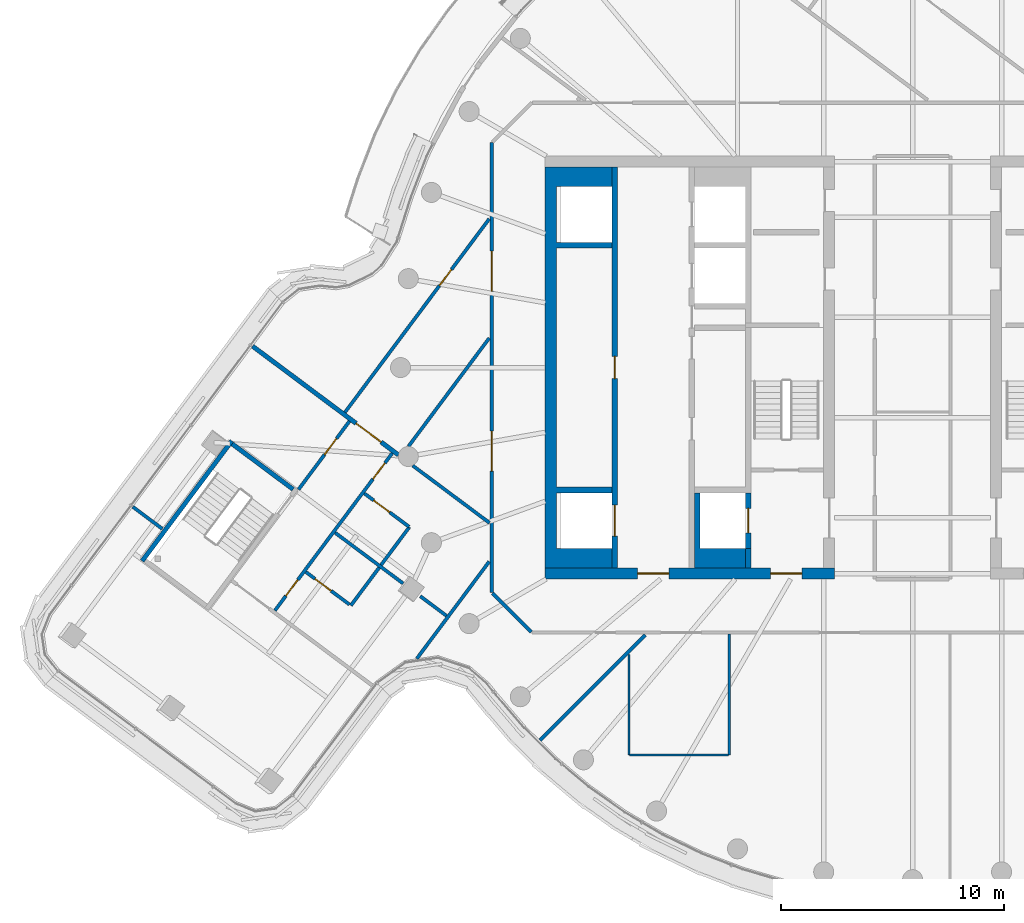
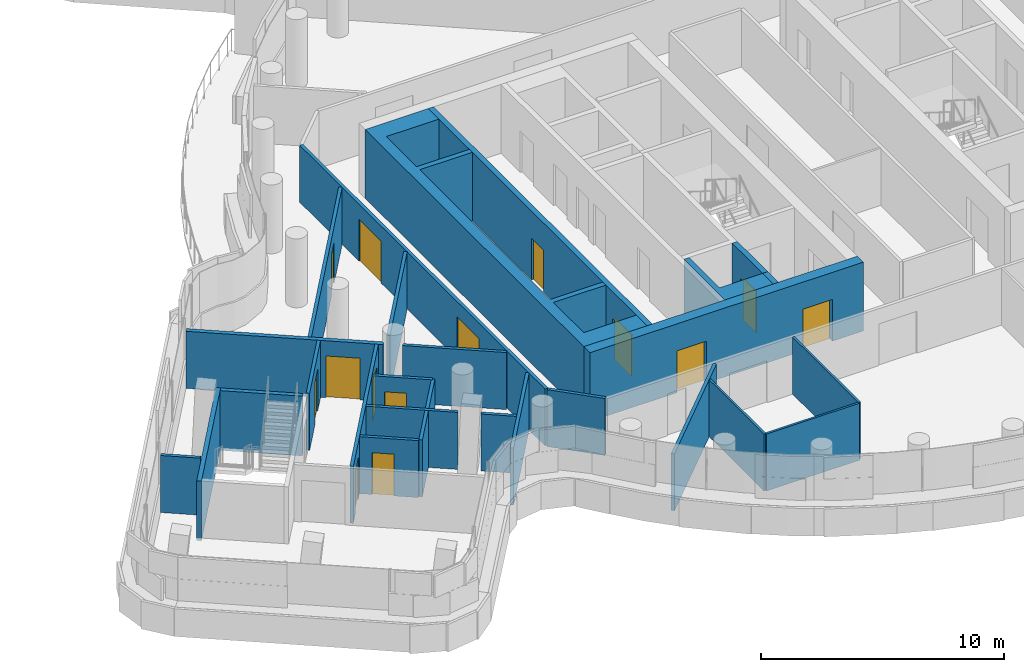
# One storey, part 17 of 27: 27 walls, 14 doors, 14 openings.
"""IFC4 building model written with IfcOpenShell, lengths in metres."""

from ifc_helpers import new_model, si_unit, direction, frame, frame_2d, origin, place, context, subcontext, project, spatial, polyline, rectangle, outline, extrude, material, layer, layer_set, type_object, element, fill, save


model = new_model("IFC4")

# Units and contexts
model_context = context("Model", 3, precision=1e-05, world=origin(), true_north=direction((0.0, 1.0)))
body_context = subcontext(model_context, "Body", "Model", "MODEL_VIEW")
ifc_project = project(units=[si_unit("LENGTHUNIT", "METRE"), si_unit("AREAUNIT", "SQUARE_METRE"), si_unit("VOLUMEUNIT", "CUBIC_METRE"), si_unit("PLANEANGLEUNIT", "RADIAN"), si_unit("MASSUNIT", "GRAM", prefix="KILO")], contexts=[model_context])

# Site, building, storey
site_placement = place(None, origin())
site = spatial("IfcSite", under=ifc_project, at=site_placement, CompositionType="ELEMENT")
building_placement = place(site_placement, origin())
building = spatial("IfcBuilding", under=site, at=building_placement, Name="Tamarind Cross Interchange Tower", CompositionType="ELEMENT")
storey_placement = place(building_placement, frame((0.0, 0.0, 227.10009765625)))
storey = spatial("IfcBuildingStorey", under=building, at=storey_placement, Name="L57", CompositionType="ELEMENT", Elevation=227.10009765625)

# Wall, openings, doors
ifc_material_1 = material(Name="Concrete C50", Category="concrete")
ifc_layer_1 = layer(ifc_material_1, 0.5)
ifc_layer_set_1 = layer_set([ifc_layer_1], Name="Concrete C50")
wall_type_1 = type_object("IfcWallType", Name="Core wall 500 mm Concrete C50", PredefinedType="SHEAR", material=ifc_layer_set_1)
wall_1_placement = place(storey_placement, frame((-16.5, -9.25, 0.0), z_axis=(0.0, 0.0, 1.0), x_axis=(1.0, 0.0, 0.0)))
wall_1 = element("IfcWall", 1, at=wall_1_placement, inside=storey, type_object=wall_type_1, Name="Core wall CWL-L57-W-S", PredefinedType="SHEAR", context=body_context, shape_type="SweptSolid", body=[
    extrude(rectangle(XDim=13.0, YDim=0.5, at=frame_2d((6.5, 0.0))), origin(), (0.0, 0.0, 1.0), 3.4599609375),
])
opening_1_placement = place(wall_1_placement, frame((4.14990234375, 0.0, 0.0)))
opening_1 = element("IfcOpeningElement", 2, at=opening_1_placement, cuts=wall_1, Name="Opening DCW1", PredefinedType="OPENING", context=body_context, shape_type="SweptSolid", body=[
    extrude(rectangle(XDim=1.39990234375, YDim=2.10009765625, at=frame_2d((0.699951171875, 1.050048828125))), frame((0.0, 0.260009765625, 0.0), z_axis=(0.0, -1.0, 0.0), x_axis=(1.0, 0.0, 0.0)), (0.0, 0.0, 1.0), 0.52001953125),
])
opening_2_placement = place(wall_1_placement, frame((10.125, 0.0, 0.0)))
opening_2 = element("IfcOpeningElement", 3, at=opening_2_placement, cuts=wall_1, Name="Opening DCWF", PredefinedType="OPENING", context=body_context, shape_type="SweptSolid", body=[
    extrude(rectangle(XDim=1.39990234375, YDim=2.10009765625, at=frame_2d((0.699951171875, 1.050048828125))), frame((0.0, 0.260009765625, 0.0), z_axis=(0.0, -1.0, 0.0), x_axis=(1.0, 0.0, 0.0)), (0.0, 0.0, 1.0), 0.52001953125),
])
ifc_material_2 = material(Name="Steel, fire-resisting", Category="steel")
door_type_1 = type_object("IfcDoorType", Name="Core fire door 1400 x 2100 FD90", OperationType="SINGLE_SWING_LEFT", PredefinedType="DOOR", material=ifc_material_2)
door_1_placement = place(opening_1_placement, origin())
door_1 = element("IfcDoor", 4, at=door_1_placement, inside=storey, type_object=door_type_1, Name="L57 lift lobby door", OperationType="SINGLE_SWING_LEFT", OverallHeight=2.10009765625, OverallWidth=1.39990234375, PredefinedType="DOOR", context=body_context, shape_type="SweptSolid", body=[
    extrude(rectangle(XDim=1.39990234375, YDim=2.10009765625, at=frame_2d((0.699951171875, 1.050048828125))), frame((0.0, 0.02490234375, 0.0), z_axis=(0.0, -1.0, 0.0), x_axis=(1.0, 0.0, 0.0)), (0.0, 0.0, 1.0), 0.050048828125),
])
fill(opening_1, door_1)
door_2_placement = place(opening_2_placement, origin())
door_2 = element("IfcDoor", 5, at=door_2_placement, inside=storey, type_object=door_type_1, Name="L57 firefighting lobby end door", OperationType="SINGLE_SWING_LEFT", OverallHeight=2.10009765625, OverallWidth=1.39990234375, PredefinedType="DOOR", context=body_context, shape_type="SweptSolid", body=[
    extrude(rectangle(XDim=1.39990234375, YDim=2.10009765625, at=frame_2d((0.699951171875, 1.050048828125))), frame((0.0, 0.02490234375, 0.0), z_axis=(0.0, -1.0, 0.0), x_axis=(1.0, 0.0, 0.0)), (0.0, 0.0, 1.0), 0.050048828125),
])
fill(opening_2, door_2)

# Walls
wall_2_placement = place(storey_placement, origin())
element("IfcWall", 6, at=wall_2_placement, inside=storey, type_object=wall_type_1, Name="Core wall CWL-L57-W-A", PredefinedType="SHEAR", context=body_context, shape_type="SweptSolid", body=[
    extrude(outline(polyline([(-13.5, -8.125), (-16.0, -8.125), (-16.0, -5.625), (-13.5, -5.625), (-13.5, -5.375), (-16.0, -5.375), (-16.0, 5.375), (-13.5, 5.375), (-13.5, 5.625), (-16.0, 5.625), (-16.0, 8.125), (-13.5, 8.125), (-13.5, 9.0), (-16.0, 9.0), (-16.5, 9.0), (-16.5, -9.0), (-16.0, -9.0), (-13.5, -9.0), (-13.5, -8.125)])), origin(), (0.0, 0.0, 1.0), 3.4599609375),
])
ifc_layer_2 = layer(ifc_material_1, 0.25)
ifc_layer_set_2 = layer_set([ifc_layer_2], Name="Concrete C50")
wall_type_2 = type_object("IfcWallType", Name="Core web wall 250 mm Concrete C50", PredefinedType="SHEAR", material=ifc_layer_set_2)
wall_3_placement = place(storey_placement, origin())
element("IfcWall", 7, at=wall_3_placement, inside=storey, type_object=wall_type_2, Name="Core wall CWL-L57-W-BS", PredefinedType="SHEAR", context=body_context, shape_type="SweptSolid", body=[
    extrude(outline(polyline([(-7.5, -8.125), (-9.550048828125, -8.125), (-9.550048828125, -5.625), (-9.800048828125, -5.625), (-9.800048828125, -8.125), (-9.800048828125, -9.0), (-7.5, -9.0), (-7.5, -8.125)])), origin(), (0.0, 0.0, 1.0), 3.4599609375),
])
wall_4_placement = place(storey_placement, frame((-7.375, -9.0, 0.0), z_axis=(0.0, 0.0, 1.0), x_axis=(0.0, 1.0, 0.0)))
element("IfcWall", 8, at=wall_4_placement, inside=storey, type_object=wall_type_2, Name="Core wall CWL-L57-W-BW", PredefinedType="SHEAR", context=body_context, shape_type="SweptSolid", body=[
    extrude(rectangle(XDim=0.875, YDim=0.25, at=frame_2d((0.4375, 0.0))), origin(), (0.0, 0.0, 1.0), 3.4599609375),
])

# Wall, openings, doors
wall_5_placement = place(storey_placement, frame((-13.375, -9.0, 0.0), z_axis=(0.0, 0.0, 1.0), x_axis=(0.0, 1.0, 0.0)))
wall_5 = element("IfcWall", 9, at=wall_5_placement, inside=storey, type_object=wall_type_2, Name="Core wall CWL-L57-W-LA", PredefinedType="SHEAR", context=body_context, shape_type="SweptSolid", body=[
    extrude(rectangle(XDim=18.0, YDim=0.25, at=frame_2d((9.0, 0.0))), origin(), (0.0, 0.0, 1.0), 3.4599609375),
])
opening_3_placement = place(wall_5_placement, frame((1.425048828125, 0.0, 0.0)))
opening_3 = element("IfcOpeningElement", 10, at=opening_3_placement, cuts=wall_5, Name="Opening LD1L57", PredefinedType="OPENING", context=body_context, shape_type="SweptSolid", body=[
    extrude(rectangle(XDim=1.39990234375, YDim=2.10009765625, at=frame_2d((0.699951171875, 1.050048828125))), frame((0.0, 0.135009765625, 0.0), z_axis=(0.0, -1.0, 0.0), x_axis=(1.0, 0.0, 0.0)), (0.0, 0.0, 1.0), 0.27001953125),
])
opening_4_placement = place(wall_5_placement, frame((8.5, 0.0, 0.0)))
opening_4 = element("IfcOpeningElement", 11, at=opening_4_placement, cuts=wall_5, Name="Opening DCW9", PredefinedType="OPENING", context=body_context, shape_type="SweptSolid", body=[
    extrude(rectangle(XDim=1.0, YDim=2.10009765625, at=frame_2d((0.5, 1.050048828125))), frame((0.0, 0.135009765625, 0.0), z_axis=(0.0, -1.0, 0.0), x_axis=(1.0, 0.0, 0.0)), (0.0, 0.0, 1.0), 0.27001953125),
])
door_type_2 = type_object("IfcDoorType", Name="Core fire door 1000 x 2100 FD90", OperationType="SINGLE_SWING_LEFT", PredefinedType="DOOR", material=ifc_material_2)
door_3_placement = place(opening_4_placement, origin())
door_3 = element("IfcDoor", 12, at=door_3_placement, inside=storey, type_object=door_type_2, Name="L57 Linen press door", OperationType="SINGLE_SWING_LEFT", OverallHeight=2.10009765625, OverallWidth=1.0, PredefinedType="DOOR", context=body_context, shape_type="SweptSolid", body=[
    extrude(rectangle(XDim=1.0, YDim=2.10009765625, at=frame_2d((0.5, 1.050048828125))), frame((0.0, 0.02490234375, 0.0), z_axis=(0.0, -1.0, 0.0), x_axis=(1.0, 0.0, 0.0)), (0.0, 0.0, 1.0), 0.050048828125),
])
fill(opening_4, door_3)
ifc_material_3 = material(Name="Stainless steel panel", Category="steel")
door_type_3 = type_object("IfcDoorType", Name="Lift landing door 1400 x 2100 E 120", OperationType="SLIDING_TO_LEFT", PredefinedType="DOOR", material=ifc_material_3)
door_4_placement = place(opening_3_placement, origin())
door_4 = element("IfcDoor", 13, at=door_4_placement, inside=storey, type_object=door_type_3, Name="L57 landing door LF1", OperationType="SLIDING_TO_LEFT", OverallHeight=2.10009765625, OverallWidth=1.39990234375, PredefinedType="DOOR", context=body_context, shape_type="SweptSolid", body=[
    extrude(rectangle(XDim=1.39990234375, YDim=2.10009765625, at=frame_2d((0.699951171875, 1.050048828125))), frame((0.0, 0.02490234375, 0.0), z_axis=(0.0, -1.0, 0.0), x_axis=(1.0, 0.0, 0.0)), (0.0, 0.0, 1.0), 0.050048828125),
])
fill(opening_3, door_4)

# Wall, opening, door
wall_6_placement = place(storey_placement, frame((-7.375, -8.125, 0.0), z_axis=(0.0, 0.0, 1.0), x_axis=(0.0, 1.0, 0.0)))
wall_6 = element("IfcWall", 14, at=wall_6_placement, inside=storey, type_object=wall_type_2, Name="Core wall CWL-L57-W-FF", PredefinedType="SHEAR", context=body_context, shape_type="SweptSolid", body=[
    extrude(rectangle(XDim=2.5, YDim=0.25, at=frame_2d((1.25, 0.0))), origin(), (0.0, 0.0, 1.0), 3.4599609375),
])
opening_5_placement = place(wall_6_placement, frame((0.699951171875, 0.0, 0.0)))
opening_5 = element("IfcOpeningElement", 15, at=opening_5_placement, cuts=wall_6, Name="Opening LD7L57", PredefinedType="OPENING", context=body_context, shape_type="SweptSolid", body=[
    extrude(rectangle(XDim=1.10009765625, YDim=2.10009765625, at=frame_2d((0.550048828125, 1.050048828125))), frame((0.0, 0.135009765625, 0.0), z_axis=(0.0, -1.0, 0.0), x_axis=(1.0, 0.0, 0.0)), (0.0, 0.0, 1.0), 0.27001953125),
])
door_type_4 = type_object("IfcDoorType", Name="Lift landing door 1100 x 2100 E 120", OperationType="SLIDING_TO_LEFT", PredefinedType="DOOR", material=ifc_material_3)
door_5_placement = place(opening_5_placement, origin())
door_5 = element("IfcDoor", 16, at=door_5_placement, inside=storey, type_object=door_type_4, Name="L57 landing door LF7", OperationType="SLIDING_TO_LEFT", OverallHeight=2.10009765625, OverallWidth=1.10009765625, PredefinedType="DOOR", context=body_context, shape_type="SweptSolid", body=[
    extrude(rectangle(XDim=1.10009765625, YDim=2.10009765625, at=frame_2d((0.550048828125, 1.050048828125))), frame((0.0, 0.02490234375, 0.0), z_axis=(0.0, -1.0, 0.0), x_axis=(1.0, 0.0, 0.0)), (0.0, 0.0, 1.0), 0.050048828125),
])
fill(opening_5, door_5)

# Walls
ifc_material_4 = material(Name="Gypsum board partition on steel studs", Category="steel")
ifc_layer_3 = layer(ifc_material_4, 0.10009765625)
ifc_layer_set_3 = layer_set([ifc_layer_3], Name="Gypsum board partition on steel studs")
wall_type_3 = type_object("IfcWallType", Name="Partition 100 mm EI 90", PredefinedType="PARTITIONING", material=ifc_layer_set_3)
wall_7_placement = place(storey_placement, frame((-12.7060546875, -17.39990234375, 0.0), z_axis=(0.0, 0.0, 1.0), x_axis=(1.0, 0.0, 0.0)))
element("IfcWall", 17, at=wall_7_placement, inside=storey, type_object=wall_type_3, Name="Partition L57-028", PredefinedType="PARTITIONING", context=body_context, shape_type="SweptSolid", body=[
    extrude(rectangle(XDim=4.43017578125, YDim=0.10009765625, at=frame_2d((2.215087890625, 0.0))), origin(), (0.0, 0.0, 1.0), 2.864013671875),
])
wall_8_placement = place(storey_placement, frame((-12.740966796875, -17.39990234375, 0.0), z_axis=(0.0, 0.0, 1.0), x_axis=(0.0, 1.0, 0.0)))
element("IfcWall", 18, at=wall_8_placement, inside=storey, type_object=wall_type_3, Name="Partition L57-059", PredefinedType="PARTITIONING", context=body_context, shape_type="SweptSolid", body=[
    extrude(rectangle(XDim=4.518798828125, YDim=0.10009765625, at=frame_2d((2.25927734375, 0.0))), origin(), (0.0, 0.0, 1.0), 2.864013671875),
])
wall_9_placement = place(storey_placement, frame((-8.240966796875, -17.39990234375, 0.0), z_axis=(0.0, 0.0, 1.0), x_axis=(0.0, 1.0, 0.0)))
element("IfcWall", 19, at=wall_9_placement, inside=storey, type_object=wall_type_3, Name="Partition L57-060", PredefinedType="PARTITIONING", context=body_context, shape_type="SweptSolid", body=[
    extrude(rectangle(XDim=5.44482421875, YDim=0.10009765625, at=frame_2d((2.722412109375, 0.0))), origin(), (0.0, 0.0, 1.0), 2.864013671875),
])
ifc_layer_4 = layer(ifc_material_4, 0.14990234375)
ifc_layer_set_4 = layer_set([ifc_layer_4], Name="Gypsum board partition on steel studs")
wall_type_4 = type_object("IfcWallType", Name="Partition 150 mm EI 120", PredefinedType="PARTITIONING", material=ifc_layer_set_4)
wall_10_placement = place(storey_placement, frame((-18.87158203125, -10.12841796875, 0.0), z_axis=(0.0, 0.0, 1.0), x_axis=(0.707106781187, -0.707106781187, 0.0)))
element("IfcWall", 20, at=wall_10_placement, inside=storey, type_object=wall_type_4, Name="Partition L57-001", PredefinedType="PARTITIONING", context=body_context, shape_type="SweptSolid", body=[
    extrude(rectangle(XDim=2.465087890625, YDim=0.14990234375, at=frame_2d((1.232421875, 0.0))), origin(), (0.0, 0.0, 1.0), 2.864013671875),
])
wall_11_placement = place(storey_placement, frame((-35.022216796875, -6.255615234375, 0.0), z_axis=(0.0, 0.0, 1.0), x_axis=(0.801578174842, -0.597889981198, 0.0)))
element("IfcWall", 21, at=wall_11_placement, inside=storey, type_object=wall_type_4, Name="Partition L57-004", PredefinedType="PARTITIONING", context=body_context, shape_type="SweptSolid", body=[
    extrude(rectangle(XDim=1.649169921875, YDim=0.14990234375, at=frame_2d((0.82470703125, 0.0))), origin(), (0.0, 0.0, 1.0), 2.864013671875),
])
wall_12_placement = place(storey_placement, frame((-22.454833984375, -4.401611328125, 0.0), z_axis=(0.0, 0.0, 1.0), x_axis=(0.801649104257, -0.597794875893, 0.0)))
element("IfcWall", 22, at=wall_12_placement, inside=storey, type_object=wall_type_4, Name="Partition L57-007", PredefinedType="PARTITIONING", context=body_context, shape_type="SweptSolid", body=[
    extrude(rectangle(XDim=4.30908203125, YDim=0.14990234375, at=frame_2d((2.154541015625, 0.0))), origin(), (0.0, 0.0, 1.0), 2.864013671875),
])

# Wall, opening, door
wall_13_placement = place(storey_placement, frame((-27.2509765625, -9.181884765625, 0.0), z_axis=(0.0, 0.0, 1.0), x_axis=(0.801530958776, -0.597953277542, 0.0)))
wall_13 = element("IfcWall", 23, at=wall_13_placement, inside=storey, type_object=wall_type_4, Name="Partition L57-008", PredefinedType="PARTITIONING", context=body_context, shape_type="SweptSolid", body=[
    extrude(rectangle(XDim=2.4453125, YDim=0.14990234375, at=frame_2d((1.22265625, 0.0))), origin(), (0.0, 0.0, 1.0), 2.864013671875),
])
opening_6_placement = place(wall_13_placement, frame((0.52001953125, 0.0, 0.0)))
opening_6 = element("IfcOpeningElement", 24, at=opening_6_placement, cuts=wall_13, Name="Opening D03", PredefinedType="OPENING", context=body_context, shape_type="SweptSolid", body=[
    extrude(rectangle(XDim=0.89990234375, YDim=2.10009765625, at=frame_2d((0.449951171875, 1.050048828125))), frame((0.0, 0.0849609375, 0.0), z_axis=(0.0, -1.0, 0.0), x_axis=(1.0, 0.0, 0.0)), (0.0, 0.0, 1.0), 0.169921875),
])
ifc_material_5 = material(Name="Fire-resisting door set")
door_type_5 = type_object("IfcDoorType", Name="Interior door 900 x 2100 FD60S", OperationType="SINGLE_SWING_LEFT", PredefinedType="DOOR", material=ifc_material_5)
door_6_placement = place(opening_6_placement, origin())
door_6 = element("IfcDoor", 25, at=door_6_placement, inside=storey, type_object=door_type_5, Name="Door D03", OperationType="SINGLE_SWING_RIGHT", OverallHeight=2.10009765625, OverallWidth=0.89990234375, PredefinedType="DOOR", context=body_context, shape_type="SweptSolid", body=[
    extrude(rectangle(XDim=0.89990234375, YDim=2.10009765625, at=frame_2d((0.449951171875, 1.050048828125))), frame((0.0, 0.02490234375, 0.0), z_axis=(0.0, -1.0, 0.0), x_axis=(1.0, 0.0, 0.0)), (0.0, 0.0, 1.0), 0.050048828125),
])
fill(opening_6, door_6)

# Walls
wall_14_placement = place(storey_placement, frame((-25.935791015625, -7.418701171875, 0.0), z_axis=(0.0, 0.0, 1.0), x_axis=(0.801627475093, -0.59782387973, 0.0)))
element("IfcWall", 26, at=wall_14_placement, inside=storey, type_object=wall_type_4, Name="Partition L57-009", PredefinedType="PARTITIONING", context=body_context, shape_type="SweptSolid", body=[
    extrude(rectangle(XDim=3.809326171875, YDim=0.14990234375, at=frame_2d((1.90478515625, 0.0))), origin(), (0.0, 0.0, 1.0), 2.864013671875),
])
wall_15_placement = place(storey_placement, frame((-22.115234375, -10.267822265625, 0.0), z_axis=(0.0, 0.0, 1.0), x_axis=(0.80168668123, -0.597744481479, 0.0)))
element("IfcWall", 27, at=wall_15_placement, inside=storey, type_object=wall_type_4, Name="Partition L57-010", PredefinedType="PARTITIONING", context=body_context, shape_type="SweptSolid", body=[
    extrude(rectangle(XDim=1.4736328125, YDim=0.14990234375, at=frame_2d((0.73681640625, 0.0))), origin(), (0.0, 0.0, 1.0), 2.864013671875),
])

# Wall, opening, door
wall_16_placement = place(storey_placement, frame((-24.620849609375, -5.65478515625, 0.0), z_axis=(0.0, 0.0, 1.0), x_axis=(0.801497378538, -0.597998287788, 0.0)))
wall_16 = element("IfcWall", 28, at=wall_16_placement, inside=storey, type_object=wall_type_4, Name="Partition L57-011", PredefinedType="PARTITIONING", context=body_context, shape_type="SweptSolid", body=[
    extrude(rectangle(XDim=2.500244140625, YDim=0.14990234375, at=frame_2d((1.25, 0.0))), origin(), (0.0, 0.0, 1.0), 2.864013671875),
])
opening_7_placement = place(wall_16_placement, frame((0.52001953125, 0.0, 0.0)))
opening_7 = element("IfcOpeningElement", 29, at=opening_7_placement, cuts=wall_16, Name="Opening D04", PredefinedType="OPENING", context=body_context, shape_type="SweptSolid", body=[
    extrude(rectangle(XDim=0.89990234375, YDim=2.10009765625, at=frame_2d((0.449951171875, 1.050048828125))), frame((0.0, 0.0849609375, 0.0), z_axis=(0.0, -1.0, 0.0), x_axis=(1.0, 0.0, 0.0)), (0.0, 0.0, 1.0), 0.169921875),
])
door_7_placement = place(opening_7_placement, frame((0.89990234375, 0.0, 0.0), z_axis=(0.0, 0.0, 1.0), x_axis=(-1.0, 0.0, 0.0)))
door_7 = element("IfcDoor", 30, at=door_7_placement, inside=storey, type_object=door_type_5, Name="Door D04", OperationType="SINGLE_SWING_LEFT", OverallHeight=2.10009765625, OverallWidth=0.89990234375, PredefinedType="DOOR", context=body_context, shape_type="SweptSolid", body=[
    extrude(rectangle(XDim=0.89990234375, YDim=2.10009765625, at=frame_2d((0.449951171875, 1.050048828125))), frame((0.0, 0.02490234375, 0.0), z_axis=(0.0, -1.0, 0.0), x_axis=(1.0, 0.0, 0.0)), (0.0, 0.0, 1.0), 0.050048828125),
])
fill(opening_7, door_7)

# Wall
wall_17_placement = place(storey_placement, frame((-16.740478515625, -16.740478515625, 0.0), z_axis=(0.0, 0.0, 1.0), x_axis=(0.707106781187, 0.707106781187, 0.0)))
element("IfcWall", 31, at=wall_17_placement, inside=storey, type_object=wall_type_4, Name="Partition L57-036", PredefinedType="PARTITIONING", context=body_context, shape_type="SweptSolid", body=[
    extrude(rectangle(XDim=6.690673828125, YDim=0.14990234375, at=frame_2d((3.34521484375, 0.0))), origin(), (0.0, 0.0, 1.0), 2.864013671875),
])

# Wall, openings, doors
wall_18_placement = place(storey_placement, frame((-28.64208984375, -10.913818359375, 0.0), z_axis=(0.0, 0.0, 1.0), x_axis=(0.59776086143, 0.801674467937, 0.0)))
wall_18 = element("IfcWall", 32, at=wall_18_placement, inside=storey, type_object=wall_type_4, Name="Partition L57-038", PredefinedType="PARTITIONING", context=body_context, shape_type="SweptSolid", body=[
    extrude(rectangle(XDim=8.819091796875, YDim=0.14990234375, at=frame_2d((4.40966796875, 0.0))), origin(), (0.0, 0.0, 1.0), 2.864013671875),
])
opening_8_placement = place(wall_18_placement, frame((7.369873046875, 0.0, 0.0)))
opening_8 = element("IfcOpeningElement", 33, at=opening_8_placement, cuts=wall_18, Name="Opening D22", PredefinedType="OPENING", context=body_context, shape_type="SweptSolid", body=[
    extrude(rectangle(XDim=0.89990234375, YDim=2.10009765625, at=frame_2d((0.449951171875, 1.050048828125))), frame((0.0, 0.0849609375, 0.0), z_axis=(0.0, -1.0, 0.0), x_axis=(1.0, 0.0, 0.0)), (0.0, 0.0, 1.0), 0.169921875),
])
opening_9_placement = place(wall_18_placement, frame((0.820068359375, 0.0, 0.0)))
opening_9 = element("IfcOpeningElement", 34, at=opening_9_placement, cuts=wall_18, Name="Opening D23", PredefinedType="OPENING", context=body_context, shape_type="SweptSolid", body=[
    extrude(rectangle(XDim=0.89990234375, YDim=2.10009765625, at=frame_2d((0.449951171875, 1.050048828125))), frame((0.0, 0.0849609375, 0.0), z_axis=(0.0, -1.0, 0.0), x_axis=(1.0, 0.0, 0.0)), (0.0, 0.0, 1.0), 0.169921875),
])
door_8_placement = place(opening_8_placement, frame((0.89990234375, 0.0, 0.0), z_axis=(0.0, 0.0, 1.0), x_axis=(-1.0, 0.0, 0.0)))
door_8 = element("IfcDoor", 35, at=door_8_placement, inside=storey, type_object=door_type_5, Name="Door D22", OperationType="SINGLE_SWING_RIGHT", OverallHeight=2.10009765625, OverallWidth=0.89990234375, PredefinedType="DOOR", context=body_context, shape_type="SweptSolid", body=[
    extrude(rectangle(XDim=0.89990234375, YDim=2.10009765625, at=frame_2d((0.449951171875, 1.050048828125))), frame((0.0, 0.02490234375, 0.0), z_axis=(0.0, -1.0, 0.0), x_axis=(1.0, 0.0, 0.0)), (0.0, 0.0, 1.0), 0.050048828125),
])
fill(opening_8, door_8)
door_9_placement = place(opening_9_placement, frame((0.89990234375, 0.0, 0.0), z_axis=(0.0, 0.0, 1.0), x_axis=(-1.0, 0.0, 0.0)))
door_9 = element("IfcDoor", 36, at=door_9_placement, inside=storey, type_object=door_type_5, Name="Door D23", OperationType="SINGLE_SWING_LEFT", OverallHeight=2.10009765625, OverallWidth=0.89990234375, PredefinedType="DOOR", context=body_context, shape_type="SweptSolid", body=[
    extrude(rectangle(XDim=0.89990234375, YDim=2.10009765625, at=frame_2d((0.449951171875, 1.050048828125))), frame((0.0, 0.02490234375, 0.0), z_axis=(0.0, -1.0, 0.0), x_axis=(1.0, 0.0, 0.0)), (0.0, 0.0, 1.0), 0.050048828125),
])
fill(opening_9, door_9)

# Wall, opening, door
wall_19_placement = place(storey_placement, frame((-27.580078125, -5.474853515625, 0.0), z_axis=(0.0, 0.0, 1.0), x_axis=(0.597842652669, 0.801613474593, 0.0)))
wall_19 = element("IfcWall", 37, at=wall_19_placement, inside=storey, type_object=wall_type_4, Name="Partition L57-039", PredefinedType="PARTITIONING", context=body_context, shape_type="SweptSolid", body=[
    extrude(rectangle(XDim=3.824462890625, YDim=0.14990234375, at=frame_2d((1.912109375, 0.0))), origin(), (0.0, 0.0, 1.0), 2.864013671875),
])
opening_10_placement = place(wall_19_placement, frame((1.949951171875, 0.0, 0.0)))
opening_10 = element("IfcOpeningElement", 38, at=opening_10_placement, cuts=wall_19, Name="Opening D24", PredefinedType="OPENING", context=body_context, shape_type="SweptSolid", body=[
    extrude(rectangle(XDim=0.89990234375, YDim=2.10009765625, at=frame_2d((0.449951171875, 1.050048828125))), frame((0.0, 0.0849609375, 0.0), z_axis=(0.0, -1.0, 0.0), x_axis=(1.0, 0.0, 0.0)), (0.0, 0.0, 1.0), 0.169921875),
])
door_10_placement = place(opening_10_placement, origin())
door_10 = element("IfcDoor", 39, at=door_10_placement, inside=storey, type_object=door_type_5, Name="Door D24", OperationType="SINGLE_SWING_LEFT", OverallHeight=2.10009765625, OverallWidth=0.89990234375, PredefinedType="DOOR", context=body_context, shape_type="SweptSolid", body=[
    extrude(rectangle(XDim=0.89990234375, YDim=2.10009765625, at=frame_2d((0.449951171875, 1.050048828125))), frame((0.0, 0.02490234375, 0.0), z_axis=(0.0, -1.0, 0.0), x_axis=(1.0, 0.0, 0.0)), (0.0, 0.0, 1.0), 0.050048828125),
])
fill(opening_10, door_10)

wall_20_placement = place(storey_placement, frame((-25.494140625, -2.009765625, 0.0), z_axis=(0.0, 0.0, 1.0), x_axis=(0.597791486565, 0.801651631689, 0.0)))
wall_20 = element("IfcWall", 40, at=wall_20_placement, inside=storey, type_object=wall_type_4, Name="Partition L57-040", PredefinedType="PARTITIONING", context=body_context, shape_type="SweptSolid", body=[
    extrude(rectangle(XDim=10.835693359375, YDim=0.14990234375, at=frame_2d((5.41796875, 0.0))), origin(), (0.0, 0.0, 1.0), 2.864013671875),
])
opening_11_placement = place(wall_20_placement, frame((7.10009765625, 0.0, 0.0)))
opening_11 = element("IfcOpeningElement", 41, at=opening_11_placement, cuts=wall_20, Name="Opening D25", PredefinedType="OPENING", context=body_context, shape_type="SweptSolid", body=[
    extrude(rectangle(XDim=0.89990234375, YDim=2.10009765625, at=frame_2d((0.449951171875, 1.050048828125))), frame((0.0, 0.0849609375, 0.0), z_axis=(0.0, -1.0, 0.0), x_axis=(1.0, 0.0, 0.0)), (0.0, 0.0, 1.0), 0.169921875),
])
door_11_placement = place(opening_11_placement, origin())
door_11 = element("IfcDoor", 42, at=door_11_placement, inside=storey, type_object=door_type_5, Name="Door D25", OperationType="SINGLE_SWING_LEFT", OverallHeight=2.10009765625, OverallWidth=0.89990234375, PredefinedType="DOOR", context=body_context, shape_type="SweptSolid", body=[
    extrude(rectangle(XDim=0.89990234375, YDim=2.10009765625, at=frame_2d((0.449951171875, 1.050048828125))), frame((0.0, 0.02490234375, 0.0), z_axis=(0.0, -1.0, 0.0), x_axis=(1.0, 0.0, 0.0)), (0.0, 0.0, 1.0), 0.050048828125),
])
fill(opening_11, door_11)

# Walls
wall_21_placement = place(storey_placement, frame((-25.23095703125, -10.68896484375, 0.0), z_axis=(0.0, 0.0, 1.0), x_axis=(0.597653424464, 0.801754566078, 0.0)))
element("IfcWall", 43, at=wall_21_placement, inside=storey, type_object=wall_type_4, Name="Partition L57-042", PredefinedType="PARTITIONING", context=body_context, shape_type="SweptSolid", body=[
    extrude(rectangle(XDim=4.3994140625, YDim=0.14990234375, at=frame_2d((2.19970703125, 0.0))), origin(), (0.0, 0.0, 1.0), 2.864013671875),
])
wall_22_placement = place(storey_placement, frame((-22.64111328125, -3.53662109375, 0.0), z_axis=(0.0, 0.0, 1.0), x_axis=(0.597807213713, 0.801639903718, 0.0)))
element("IfcWall", 44, at=wall_22_placement, inside=storey, type_object=wall_type_4, Name="Partition L57-043", PredefinedType="PARTITIONING", context=body_context, shape_type="SweptSolid", body=[
    extrude(rectangle(XDim=6.06298828125, YDim=0.14990234375, at=frame_2d((3.031494140625, 0.0))), origin(), (0.0, 0.0, 1.0), 2.864013671875),
])
wall_23_placement = place(storey_placement, frame((-22.271484375, -13.076416015625, 0.0), z_axis=(0.0, 0.0, 1.0), x_axis=(0.597866860713, 0.801595419686, 0.0)))
element("IfcWall", 45, at=wall_23_placement, inside=storey, type_object=wall_type_4, Name="Partition L57-044", PredefinedType="PARTITIONING", context=body_context, shape_type="SweptSolid", body=[
    extrude(rectangle(XDim=5.444091796875, YDim=0.14990234375, at=frame_2d((2.72216796875, 0.0))), origin(), (0.0, 0.0, 1.0), 2.864013671875),
])

# Wall, openings, doors
wall_24_placement = place(storey_placement, frame((-18.89990234375, -10.10009765625, 0.0), z_axis=(0.0, 0.0, 1.0), x_axis=(0.0, 1.0, 0.0)))
wall_24 = element("IfcWall", 46, at=wall_24_placement, inside=storey, type_object=wall_type_4, Name="Partition L57-058", PredefinedType="PARTITIONING", context=body_context, shape_type="SweptSolid", body=[
    extrude(rectangle(XDim=20.2001953125, YDim=0.14990234375, at=frame_2d((10.10009765625, 0.0))), origin(), (0.0, 0.0, 1.0), 2.864013671875),
])
opening_12_placement = place(wall_24_placement, frame((13.530029296875, 0.0, 0.0)))
opening_12 = element("IfcOpeningElement", 47, at=opening_12_placement, cuts=wall_24, Name="Opening D31", PredefinedType="OPENING", context=body_context, shape_type="SweptSolid", body=[
    extrude(rectangle(XDim=1.800048828125, YDim=2.10009765625, at=frame_2d((0.89990234375, 1.050048828125))), frame((0.0, 0.0849609375, 0.0), z_axis=(0.0, -1.0, 0.0), x_axis=(1.0, 0.0, 0.0)), (0.0, 0.0, 1.0), 0.169921875),
])
opening_13_placement = place(wall_24_placement, frame((5.447998046875, 0.0, 0.0)))
opening_13 = element("IfcOpeningElement", 48, at=opening_13_placement, cuts=wall_24, Name="Opening D32", PredefinedType="OPENING", context=body_context, shape_type="SweptSolid", body=[
    extrude(rectangle(XDim=1.800048828125, YDim=2.10009765625, at=frame_2d((0.89990234375, 1.050048828125))), frame((0.0, 0.0849609375, 0.0), z_axis=(0.0, -1.0, 0.0), x_axis=(1.0, 0.0, 0.0)), (0.0, 0.0, 1.0), 0.169921875),
])
door_type_6 = type_object("IfcDoorType", Name="Interior door 1800 x 2100 FD60S", OperationType="DOUBLE_DOOR_SINGLE_SWING", PredefinedType="DOOR", material=ifc_material_5)
door_12_placement = place(opening_12_placement, frame((1.800048828125, 0.0, 0.0), z_axis=(0.0, 0.0, 1.0), x_axis=(-1.0, 0.0, 0.0)))
door_12 = element("IfcDoor", 49, at=door_12_placement, inside=storey, type_object=door_type_6, Name="Door D31", OperationType="DOUBLE_DOOR_SINGLE_SWING", OverallHeight=2.10009765625, OverallWidth=1.800048828125, PredefinedType="DOOR", context=body_context, shape_type="SweptSolid", body=[
    extrude(rectangle(XDim=1.800048828125, YDim=2.10009765625, at=frame_2d((0.89990234375, 1.050048828125))), frame((0.0, 0.02490234375, 0.0), z_axis=(0.0, -1.0, 0.0), x_axis=(1.0, 0.0, 0.0)), (0.0, 0.0, 1.0), 0.050048828125),
])
fill(opening_12, door_12)
door_13_placement = place(opening_13_placement, origin())
door_13 = element("IfcDoor", 50, at=door_13_placement, inside=storey, type_object=door_type_6, Name="Door D32", OperationType="DOUBLE_DOOR_SINGLE_SWING", OverallHeight=2.10009765625, OverallWidth=1.800048828125, PredefinedType="DOOR", context=body_context, shape_type="SweptSolid", body=[
    extrude(rectangle(XDim=1.800048828125, YDim=2.10009765625, at=frame_2d((0.89990234375, 1.050048828125))), frame((0.0, 0.02490234375, 0.0), z_axis=(0.0, -1.0, 0.0), x_axis=(1.0, 0.0, 0.0)), (0.0, 0.0, 1.0), 0.050048828125),
])
fill(opening_13, door_13)

# Wall, opening, door
ifc_layer_5 = layer(ifc_material_4, 0.199951171875)
ifc_layer_set_5 = layer_set([ifc_layer_5], Name="Gypsum board partition on steel studs")
wall_type_5 = type_object("IfcWallType", Name="Partition 200 mm EI 180", PredefinedType="PARTITIONING", material=ifc_layer_set_5)
wall_25_placement = place(storey_placement, frame((-29.64208984375, 0.95849609375, 0.0), z_axis=(0.0, 0.0, 1.0), x_axis=(0.801632086485, -0.597817696224, 0.0)))
wall_25 = element("IfcWall", 51, at=wall_25_placement, inside=storey, type_object=wall_type_5, Name="Partition L57-006", PredefinedType="PARTITIONING", context=body_context, shape_type="SweptSolid", body=[
    extrude(rectangle(XDim=8.170654296875, YDim=0.199951171875, at=frame_2d((4.08544921875, 0.0))), origin(), (0.0, 0.0, 1.0), 2.864013671875),
])
opening_14_placement = place(wall_25_placement, frame((5.798828125, 0.0, 0.0)))
opening_14 = element("IfcOpeningElement", 52, at=opening_14_placement, cuts=wall_25, Name="Opening D02", PredefinedType="OPENING", context=body_context, shape_type="SweptSolid", body=[
    extrude(rectangle(XDim=1.39990234375, YDim=2.10009765625, at=frame_2d((0.699951171875, 1.050048828125))), frame((0.0, 0.10986328125, 0.0), z_axis=(0.0, -1.0, 0.0), x_axis=(1.0, 0.0, 0.0)), (0.0, 0.0, 1.0), 0.219970703125),
])
door_type_7 = type_object("IfcDoorType", Name="Interior door 1400 x 2100 FD120S", OperationType="DOUBLE_DOOR_SINGLE_SWING", PredefinedType="DOOR", material=ifc_material_5)
door_14_placement = place(opening_14_placement, origin())
door_14 = element("IfcDoor", 53, at=door_14_placement, inside=storey, type_object=door_type_7, Name="Door D02", OperationType="DOUBLE_DOOR_SINGLE_SWING", OverallHeight=2.10009765625, OverallWidth=1.39990234375, PredefinedType="DOOR", context=body_context, shape_type="SweptSolid", body=[
    extrude(rectangle(XDim=1.39990234375, YDim=2.10009765625, at=frame_2d((0.699951171875, 1.050048828125))), frame((0.0, 0.02490234375, 0.0), z_axis=(0.0, -1.0, 0.0), x_axis=(1.0, 0.0, 0.0)), (0.0, 0.0, 1.0), 0.050048828125),
])
fill(opening_14, door_14)

# Walls
ifc_material_6 = material(Name="Concrete C40", Category="concrete")
ifc_layer_6 = layer(ifc_material_6, 0.199951171875)
ifc_layer_set_6 = layer_set([ifc_layer_6], Name="Concrete C40")
wall_type_6 = type_object("IfcWallType", Name="Stair shaft wall 200 mm Concrete C40", PredefinedType="SHEAR", material=ifc_layer_set_6)
wall_26_placement = place(storey_placement, frame((-30.577880859375, -3.2890625, -0.14013671875), z_axis=(0.0, 0.0, 1.0), x_axis=(-0.59785191081, -0.801606569796, 0.0)))
element("IfcWall", 54, at=wall_26_placement, inside=storey, type_object=wall_type_6, Name="Core wall CWL-L57-ST5-C", PredefinedType="SHEAR", context=body_context, shape_type="SweptSolid", body=[
    extrude(rectangle(XDim=6.735107421875, YDim=0.199951171875, at=frame_2d((3.36767578125, 0.0))), origin(), (0.0, 0.0, 1.0), 3.004150390625),
])
wall_27_placement = place(storey_placement, frame((-30.5576171875, -3.428955078125, -0.14013671875), z_axis=(0.0, 0.0, 1.0), x_axis=(0.801612354248, -0.597844154874, 0.0)))
element("IfcWall", 55, at=wall_27_placement, inside=storey, type_object=wall_type_6, Name="Core wall CWL-L57-ST5-CE", PredefinedType="SHEAR", context=body_context, shape_type="SweptSolid", body=[
    extrude(rectangle(XDim=3.409912109375, YDim=0.199951171875, at=frame_2d((1.705078125, 0.0))), origin(), (0.0, 0.0, 1.0), 3.004150390625),
])

save(model, "model.ifc")
